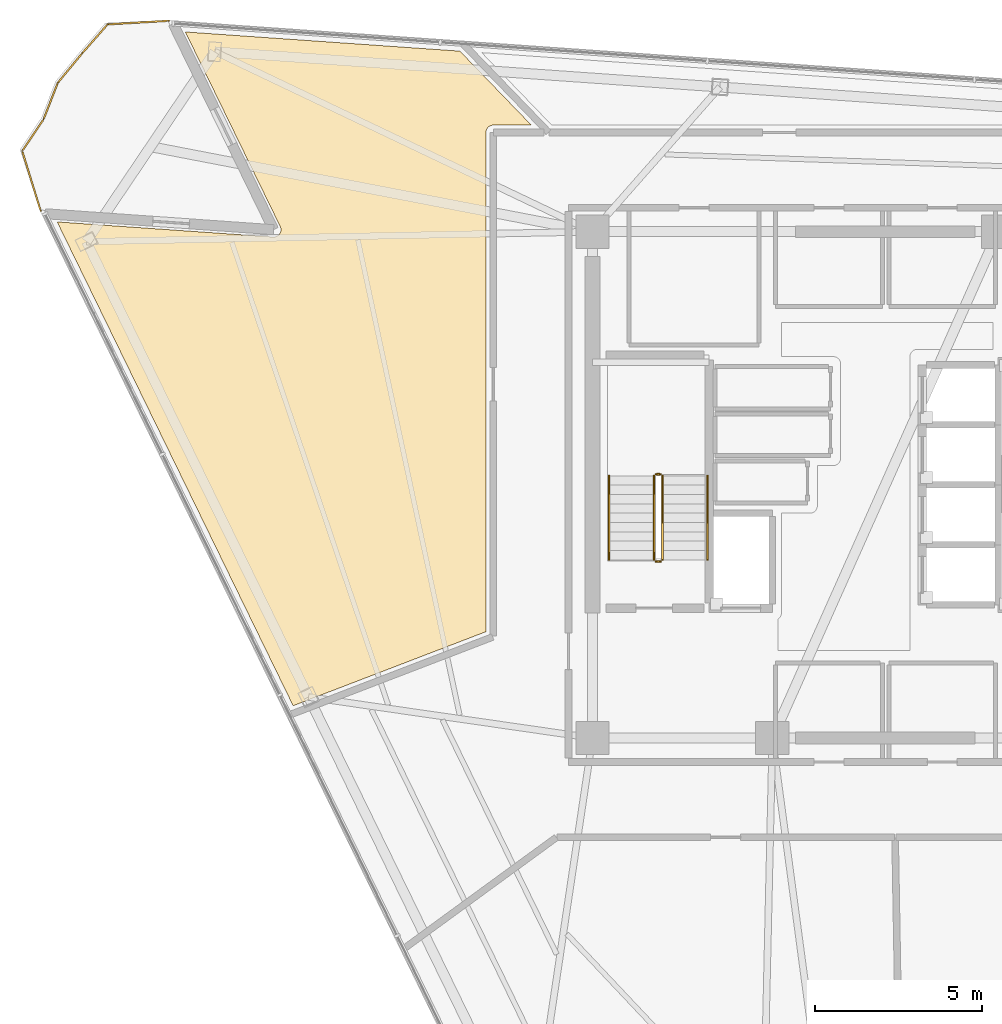
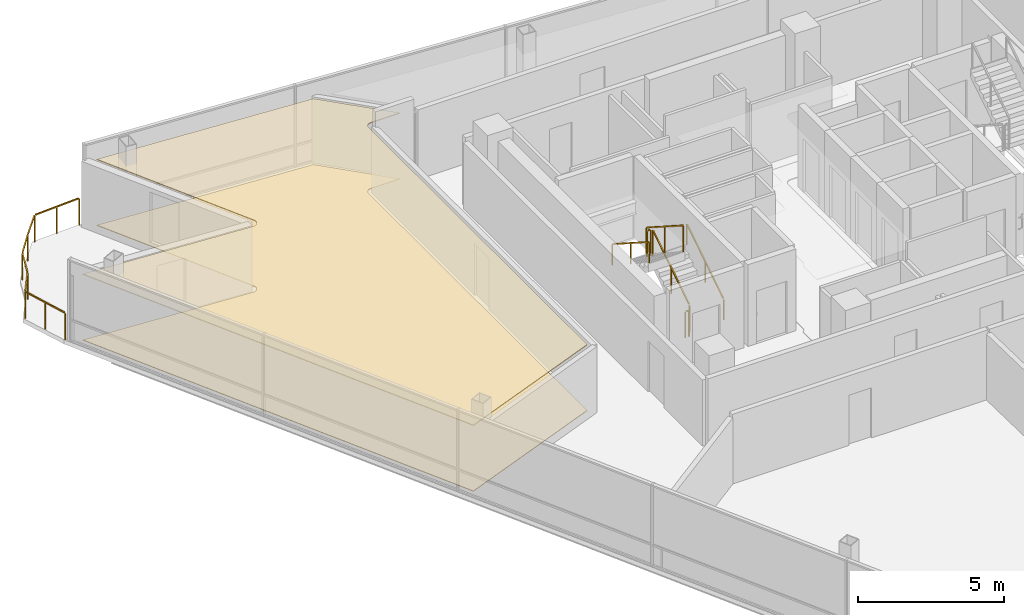
# One storey, part 12 of 14: 7 railings, 2 coverings.
"""IFC4 building model written with IfcOpenShell, lengths in metres."""

from ifc_helpers import new_model, si_unit, direction, frame, origin, origin_2d, place, context, subcontext, project, spatial, polyline, rectangle, outline, extrude, material, layer, layer_set, type_object, element, save


model = new_model("IFC4")

# Units and contexts
model_context = context("Model", 3, precision=1e-05, world=origin(), true_north=direction((0.0, 1.0)))
body_context = subcontext(model_context, "Body", "Model", "MODEL_VIEW")
ifc_project = project(units=[si_unit("LENGTHUNIT", "METRE"), si_unit("AREAUNIT", "SQUARE_METRE"), si_unit("VOLUMEUNIT", "CUBIC_METRE"), si_unit("PLANEANGLEUNIT", "RADIAN"), si_unit("MASSUNIT", "GRAM", prefix="KILO")], contexts=[model_context])

# Site, building, storey
site_placement = place(None, origin())
site = spatial("IfcSite", under=ifc_project, at=site_placement, CompositionType="ELEMENT")
building_placement = place(site_placement, origin())
building = spatial("IfcBuilding", under=site, at=building_placement, Name="Tharavind Bronze Gate", CompositionType="ELEMENT")
storey_placement = place(building_placement, frame((0.0, 0.0, 241.449951171875)))
storey = spatial("IfcBuildingStorey", under=building, at=storey_placement, Name="L62", CompositionType="ELEMENT", Elevation=241.449951171875)

# Coverings
ifc_material_1 = material(Name="Engineered Oak & Carpet Tile", Category="wood")
ifc_layer_1 = layer(ifc_material_1, 0.02490234375)
ifc_layer_set_1 = layer_set([ifc_layer_1], Name="Engineered Oak & Carpet Tile")
covering_type_1 = type_object("IfcCoveringType", Name="ENGINEERED TIMBER FLOORING", PredefinedType="FLOORING", material=ifc_layer_set_1)
covering_1_placement = place(storey_placement, origin())
element("IfcCovering", 1, at=covering_1_placement, inside=storey, type_object=covering_type_1, Name="L62-RM-03 floor finish", PredefinedType="FLOORING", context=body_context, shape_type="SweptSolid", body=[
    extrude(outline(polyline([(-17.8876953125, -6.630859375), (-12.10009765625, -4.4091796875), (-12.10009765625, 10.579345703125), (-12.099609375, 10.590087890625), (-12.099609375, 10.5908203125), (-12.09765625, 10.6123046875), (-12.093505859375, 10.63330078125), (-12.087158203125, 10.654052734375), (-12.078857421875, 10.674072265625), (-12.068603515625, 10.693115234375), (-12.056640625, 10.7109375), (-12.04296875, 10.727783203125), (-12.027587890625, 10.742919921875), (-12.010986328125, 10.756591796875), (-11.9931640625, 10.768798828125), (-11.97412109375, 10.77880859375), (-11.9541015625, 10.787109375), (-11.933349609375, 10.79345703125), (-11.912353515625, 10.797607421875), (-11.890869140625, 10.7998046875), (-11.89013671875, 10.7998046875), (-11.87939453125, 10.800048828125), (-10.7353515625, 10.800048828125), (-12.881103515625, 13.02197265625), (-21.125, 13.598388671875), (-18.2763671875, 7.7578125), (-18.27197265625, 7.747802734375), (-18.271728515625, 7.747314453125), (-18.263916015625, 7.726806640625), (-18.258544921875, 7.70556640625), (-18.255126953125, 7.683837890625), (-18.25390625, 7.661865234375), (-18.2548828125, 7.639892578125), (-18.258056640625, 7.618408203125), (-18.263427734375, 7.596923828125), (-18.270751953125, 7.576416015625), (-18.2802734375, 7.556640625), (-18.29150390625, 7.537841796875), (-18.3046875, 7.520263671875), (-18.319580078125, 7.504150390625), (-18.3359375, 7.489501953125), (-18.353759765625, 7.4765625), (-18.37255859375, 7.465576171875), (-18.392578125, 7.456298828125), (-18.413330078125, 7.449462890625), (-18.434814453125, 7.4443359375), (-18.456298828125, 7.44140625), (-18.478271484375, 7.44091796875), (-18.47900390625, 7.44091796875), (-18.489990234375, 7.44140625), (-24.972412109375, 7.894775390625), (-17.8876953125, -6.630859375)])), origin(), (0.0, 0.0, 1.0), 0.025146484375),
])
ifc_material_2 = material(Name="Acoustic Gypsum Board", Category="gypsum")
ifc_layer_2 = layer(ifc_material_2, 0.030029296875)
ifc_layer_set_2 = layer_set([ifc_layer_2], Name="Acoustic Gypsum Board")
covering_type_2 = type_object("IfcCoveringType", Name="GYPSUM SUSPENDED CEILING", PredefinedType="CEILING", material=ifc_layer_set_2)
covering_2_placement = place(storey_placement, frame((0.0, 0.0, 2.75)))
element("IfcCovering", 2, at=covering_2_placement, inside=storey, type_object=covering_type_2, Name="L62-RM-03 suspended ceiling", PredefinedType="CEILING", context=body_context, shape_type="SweptSolid", body=[
    extrude(outline(polyline([(-17.8876953125, -6.630859375), (-12.10009765625, -4.4091796875), (-12.10009765625, 10.579345703125), (-12.099609375, 10.590087890625), (-12.099609375, 10.5908203125), (-12.09765625, 10.6123046875), (-12.093505859375, 10.63330078125), (-12.087158203125, 10.654052734375), (-12.078857421875, 10.674072265625), (-12.068603515625, 10.693115234375), (-12.056640625, 10.7109375), (-12.04296875, 10.727783203125), (-12.027587890625, 10.742919921875), (-12.010986328125, 10.756591796875), (-11.9931640625, 10.768798828125), (-11.97412109375, 10.77880859375), (-11.9541015625, 10.787109375), (-11.933349609375, 10.79345703125), (-11.912353515625, 10.797607421875), (-11.890869140625, 10.7998046875), (-11.89013671875, 10.7998046875), (-11.87939453125, 10.800048828125), (-10.7353515625, 10.800048828125), (-12.881103515625, 13.02197265625), (-21.125, 13.598388671875), (-18.2763671875, 7.7578125), (-18.27197265625, 7.747802734375), (-18.271728515625, 7.747314453125), (-18.263916015625, 7.726806640625), (-18.258544921875, 7.70556640625), (-18.255126953125, 7.683837890625), (-18.25390625, 7.661865234375), (-18.2548828125, 7.639892578125), (-18.258056640625, 7.618408203125), (-18.263427734375, 7.596923828125), (-18.270751953125, 7.576416015625), (-18.2802734375, 7.556640625), (-18.29150390625, 7.537841796875), (-18.3046875, 7.520263671875), (-18.319580078125, 7.504150390625), (-18.3359375, 7.489501953125), (-18.353759765625, 7.4765625), (-18.37255859375, 7.465576171875), (-18.392578125, 7.456298828125), (-18.413330078125, 7.449462890625), (-18.434814453125, 7.4443359375), (-18.456298828125, 7.44140625), (-18.478271484375, 7.44091796875), (-18.47900390625, 7.44091796875), (-18.489990234375, 7.44140625), (-24.972412109375, 7.894775390625), (-17.8876953125, -6.630859375)])), origin(), (0.0, 0.0, 1.0), 0.03515625),
])

# Railings
ifc_material_3 = material(Name="Brushed Bronze Alloy", Category="metal")
railing_type_1 = type_object("IfcRailingType", Name="STAIR BRONZE HANDRAIL 900", PredefinedType="HANDRAIL", material=ifc_material_3)
railing_1_placement = place(storey_placement, frame((-5.449951171875, -2.25, 0.179931640625)))
element("IfcRailing", 3, at=railing_1_placement, inside=storey, type_object=railing_type_1, Name="L62 ST1 stair handrail 1", PredefinedType="HANDRAIL", context=body_context, shape_type="SweptSolid", body=[
    extrude(rectangle(XDim=0.048095703125, YDim=0.048095703125, at=origin_2d()), frame((0.0, 0.02685546875, 0.89306640625), z_axis=(0.0, 0.841162588446, 0.540782303519), x_axis=(-1.0, 0.0, 0.0)), (0.0, 0.0, 1.0), 2.931884765625),
    extrude(rectangle(XDim=0.0400390625, YDim=0.0400390625, at=origin_2d()), origin(), (0.0, 0.0, 1.0), 0.847900390625),
    extrude(rectangle(XDim=0.0400390625, YDim=0.0400390625, at=origin_2d()), frame((0.0, 1.260009765625, 0.81005859375)), (0.0, 0.0, 1.0), 0.847900390625),
    extrude(rectangle(XDim=0.0400390625, YDim=0.0400390625, at=origin_2d()), frame((0.0, 2.52001953125, 1.6201171875)), (0.0, 0.0, 1.0), 0.847900390625),
])
railing_2_placement = place(storey_placement, frame((-8.39990234375, 0.27001953125, 1.97998046875)))
element("IfcRailing", 4, at=railing_2_placement, inside=storey, type_object=railing_type_1, Name="L62 ST1 stair handrail 2", PredefinedType="HANDRAIL", context=body_context, shape_type="SweptSolid", body=[
    extrude(rectangle(XDim=0.048095703125, YDim=0.048095703125, at=origin_2d()), frame((0.0, -0.02685546875, 0.89306640625), z_axis=(0.0, -0.841162588446, 0.540782303519), x_axis=(1.0, 0.0, 0.0)), (0.0, 0.0, 1.0), 2.931884765625),
    extrude(rectangle(XDim=0.0400390625, YDim=0.0400390625, at=origin_2d()), origin(), (0.0, 0.0, 1.0), 0.847900390625),
    extrude(rectangle(XDim=0.0400390625, YDim=0.0400390625, at=origin_2d()), frame((0.0, -1.260009765625, 0.81005859375)), (0.0, 0.0, 1.0), 0.847900390625),
    extrude(rectangle(XDim=0.0400390625, YDim=0.0400390625, at=origin_2d()), frame((0.0, -2.52001953125, 1.6201171875)), (0.0, 0.0, 1.0), 0.847900390625),
])
railing_type_2 = type_object("IfcRailingType", Name="STAIR WELL GUARD RAILING 1120", PredefinedType="GUARDRAIL", material=ifc_material_3)
railing_3_placement = place(storey_placement, frame((-6.800048828125, -2.25, 0.179931640625)))
element("IfcRailing", 5, at=railing_3_placement, inside=storey, type_object=railing_type_2, Name="L62 ST1 stair guard 1", PredefinedType="GUARDRAIL", context=body_context, shape_type="SweptSolid", body=[
    extrude(rectangle(XDim=0.048095703125, YDim=0.048095703125, at=origin_2d()), frame((0.0, 0.02685546875, 1.11328125), z_axis=(0.0, 0.841162588446, 0.540782303519), x_axis=(-1.0, 0.0, 0.0)), (0.0, 0.0, 1.0), 2.931884765625),
    extrude(rectangle(XDim=0.0400390625, YDim=0.0400390625, at=origin_2d()), origin(), (0.0, 0.0, 1.0), 1.068115234375),
    extrude(rectangle(XDim=0.0400390625, YDim=0.0400390625, at=origin_2d()), frame((0.0, 1.260009765625, 0.81005859375)), (0.0, 0.0, 1.0), 1.068115234375),
    extrude(rectangle(XDim=0.0400390625, YDim=0.0400390625, at=origin_2d()), frame((0.0, 2.52001953125, 1.6201171875)), (0.0, 0.0, 1.0), 1.068115234375),
])
railing_4_placement = place(storey_placement, frame((-6.85009765625, 0.320068359375, 1.800048828125)))
element("IfcRailing", 6, at=railing_4_placement, inside=storey, type_object=railing_type_2, Name="L62 ST1 stair guard 2", PredefinedType="GUARDRAIL", context=body_context, shape_type="SweptSolid", body=[
    extrude(rectangle(XDim=0.048095703125, YDim=0.048095703125, at=origin_2d()), frame((-0.031982421875, 0.0, 1.09619140625), z_axis=(-1.0, 0.0, 0.0), x_axis=(0.0, -1.0, 0.0)), (0.0, 0.0, 1.0), 0.0859375),
    extrude(rectangle(XDim=0.0400390625, YDim=0.0400390625, at=origin_2d()), origin(), (0.0, 0.0, 1.0), 1.068115234375),
    extrude(rectangle(XDim=0.0400390625, YDim=0.0400390625, at=origin_2d()), frame((-0.14990234375, 0.0, 0.0)), (0.0, 0.0, 1.0), 1.068115234375),
])
railing_5_placement = place(storey_placement, frame((-7.050048828125, 0.27001953125, 1.97998046875)))
element("IfcRailing", 7, at=railing_5_placement, inside=storey, type_object=railing_type_2, Name="L62 ST1 stair guard 3", PredefinedType="GUARDRAIL", context=body_context, shape_type="SweptSolid", body=[
    extrude(rectangle(XDim=0.048095703125, YDim=0.048095703125, at=origin_2d()), frame((0.0, -0.02685546875, 1.11328125), z_axis=(0.0, -0.841162588446, 0.540782303519), x_axis=(1.0, 0.0, 0.0)), (0.0, 0.0, 1.0), 2.931884765625),
    extrude(rectangle(XDim=0.0400390625, YDim=0.0400390625, at=origin_2d()), origin(), (0.0, 0.0, 1.0), 1.068115234375),
    extrude(rectangle(XDim=0.0400390625, YDim=0.0400390625, at=origin_2d()), frame((0.0, -1.260009765625, 0.81005859375)), (0.0, 0.0, 1.0), 1.068115234375),
    extrude(rectangle(XDim=0.0400390625, YDim=0.0400390625, at=origin_2d()), frame((0.0, -2.52001953125, 1.6201171875)), (0.0, 0.0, 1.0), 1.068115234375),
])
railing_6_placement = place(storey_placement, frame((-6.85009765625, -2.300048828125, 0.0)))
element("IfcRailing", 8, at=railing_6_placement, inside=storey, type_object=railing_type_2, Name="L62 ST1 stair guard 4", PredefinedType="GUARDRAIL", context=body_context, shape_type="SweptSolid", body=[
    extrude(rectangle(XDim=0.048095703125, YDim=0.048095703125, at=origin_2d()), frame((-0.031982421875, 0.0, 1.09619140625), z_axis=(-1.0, 0.0, 0.0), x_axis=(0.0, -1.0, 0.0)), (0.0, 0.0, 1.0), 0.0859375),
    extrude(rectangle(XDim=0.0400390625, YDim=0.0400390625, at=origin_2d()), origin(), (0.0, 0.0, 1.0), 1.068115234375),
    extrude(rectangle(XDim=0.0400390625, YDim=0.0400390625, at=origin_2d()), frame((-0.14990234375, 0.0, 0.0)), (0.0, 0.0, 1.0), 1.068115234375),
])
ifc_material_4 = material(Name="Bronze Cap & Laminated Glass", Category="glass")
railing_type_3 = type_object("IfcRailingType", Name="TERRACE GLASS GUARD RAILING 1150", PredefinedType="GUARDRAIL", material=ifc_material_4)
railing_7_placement = place(storey_placement, frame((-25.4697265625, 8.230224609375, 0.0)))
element("IfcRailing", 9, at=railing_7_placement, inside=storey, type_object=railing_type_3, Name="L62 tree balcony guard railing", PredefinedType="GUARDRAIL", context=body_context, shape_type="SweptSolid", body=[
    extrude(rectangle(XDim=0.048095703125, YDim=0.048095703125, at=origin_2d()), frame((-0.009521484375, 0.030517578125, 1.1259765625), z_axis=(-0.294314517562, 0.955708619168, 0.0), x_axis=(-0.955708619168, -0.294314517562, 0.0)), (0.0, 0.0, 1.0), 1.8115234375),
    extrude(rectangle(XDim=0.048095703125, YDim=0.048095703125, at=origin_2d()), frame((-0.5341796875, 1.819091796875, 1.1259765625), z_axis=(0.559213151727, 0.829023914574, 0.0), x_axis=(-0.829023914574, 0.559213151727, 0.0)), (0.0, 0.0, 1.0), 1.08251953125),
    extrude(rectangle(XDim=0.048095703125, YDim=0.048095703125, at=origin_2d()), frame((0.1005859375, 2.772705078125, 1.1259765625), z_axis=(0.361885115159, 0.932222700553, 0.0), x_axis=(-0.932222700553, 0.361885115159, 0.0)), (0.0, 0.0, 1.0), 1.11181640625),
    extrude(rectangle(XDim=0.048095703125, YDim=0.048095703125, at=origin_2d()), frame((0.53515625, 3.86376953125, 1.1259765625), z_axis=(0.637324854119, 0.77059524416, 0.0), x_axis=(-0.77059524416, 0.637324854119, 0.0)), (0.0, 0.0, 1.0), 1.08837890625),
    extrude(rectangle(XDim=0.048095703125, YDim=0.048095703125, at=origin_2d()), frame((1.270263671875, 4.7509765625, 1.1259765625), z_axis=(0.660580286946, 0.750755409237, 0.0), x_axis=(-0.750755409237, 0.660580286946, 0.0)), (0.0, 0.0, 1.0), 1.092041015625),
    extrude(rectangle(XDim=0.048095703125, YDim=0.048095703125, at=origin_2d()), frame((2.044677734375, 5.596923828125, 1.1259765625), z_axis=(0.998250930511, 0.059119199371, 0.0), x_axis=(-0.059119199371, 0.998250930511, 0.0)), (0.0, 0.0, 1.0), 1.773681640625),
    extrude(rectangle(XDim=0.0400390625, YDim=0.0400390625, at=origin_2d()), origin(), (0.0, 0.0, 1.0), 1.097900390625),
    extrude(rectangle(XDim=0.0400390625, YDim=0.0400390625, at=origin_2d()), frame((-0.27587890625, 0.896240234375, 0.0)), (0.0, 0.0, 1.0), 1.097900390625),
    extrude(rectangle(XDim=0.0400390625, YDim=0.0400390625, at=origin_2d()), frame((-0.552001953125, 1.79248046875, 0.0)), (0.0, 0.0, 1.0), 1.097900390625),
    extrude(rectangle(XDim=0.0400390625, YDim=0.0400390625, at=origin_2d()), frame((0.089111328125, 2.742919921875, 0.0)), (0.0, 0.0, 1.0), 1.097900390625),
    extrude(rectangle(XDim=0.0400390625, YDim=0.0400390625, at=origin_2d()), frame((0.5146484375, 3.839111328125, 0.0)), (0.0, 0.0, 1.0), 1.097900390625),
    extrude(rectangle(XDim=0.0400390625, YDim=0.0400390625, at=origin_2d()), frame((1.2490234375, 4.72705078125, 0.0)), (0.0, 0.0, 1.0), 1.097900390625),
    extrude(rectangle(XDim=0.0400390625, YDim=0.0400390625, at=origin_2d()), frame((2.0126953125, 5.594970703125, 0.0)), (0.0, 0.0, 1.0), 1.097900390625),
    extrude(rectangle(XDim=0.0400390625, YDim=0.0400390625, at=origin_2d()), frame((2.929931640625, 5.6494140625, 0.0)), (0.0, 0.0, 1.0), 1.097900390625),
    extrude(rectangle(XDim=0.0400390625, YDim=0.0400390625, at=origin_2d()), frame((3.84716796875, 5.70361328125, 0.0)), (0.0, 0.0, 1.0), 1.097900390625),
])

save(model, "model.ifc")
